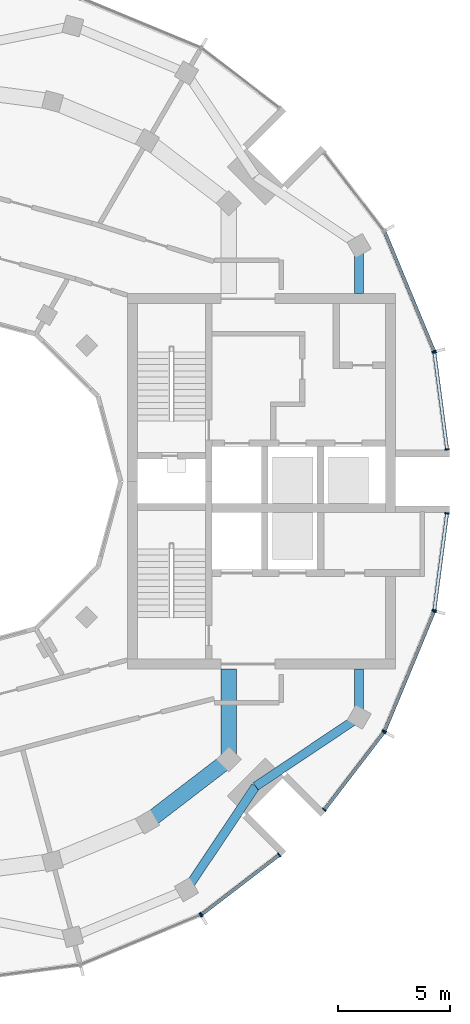
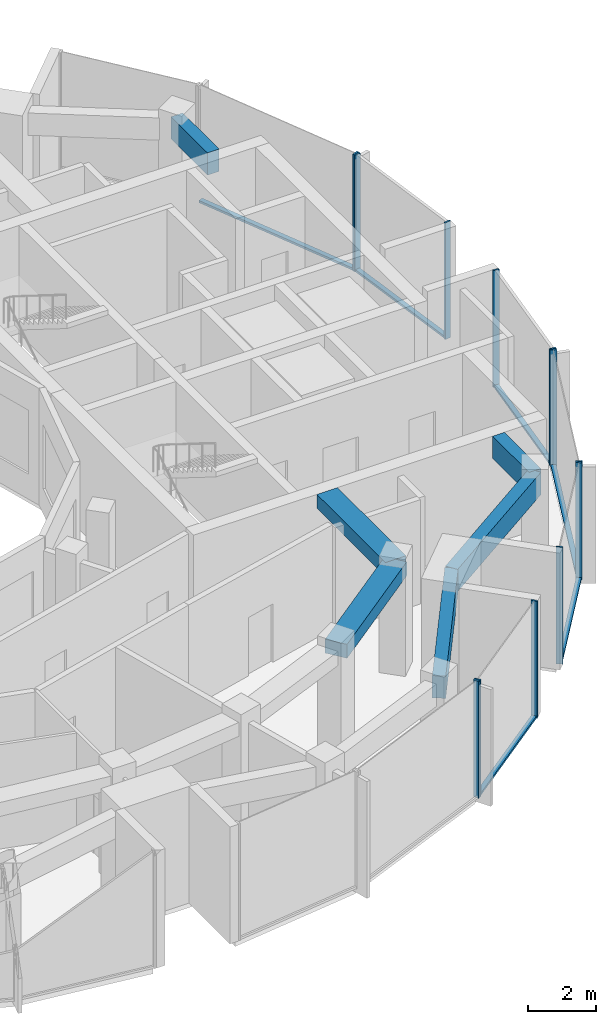
# One storey, part 4 of 13: 18 members, 6 beams, 7 elements without a shape of their own.
"""IFC4 building model written with IfcOpenShell, lengths in metres."""

from ifc_helpers import new_model, si_unit, direction, frame, origin, origin_2d, place, context, subcontext, project, spatial, rectangle, extrude, material, layer, layer_set, material_profile, profile_set, type_object, element, aggregate, save


model = new_model("IFC4")

# Units and contexts
model_context = context("Model", 3, precision=1e-05, world=origin(), true_north=direction((0.0, 1.0)))
body_context = subcontext(model_context, "Body", "Model", "MODEL_VIEW")
ifc_project = project(units=[si_unit("LENGTHUNIT", "METRE"), si_unit("AREAUNIT", "SQUARE_METRE"), si_unit("VOLUMEUNIT", "CUBIC_METRE"), si_unit("PLANEANGLEUNIT", "RADIAN"), si_unit("MASSUNIT", "GRAM", prefix="KILO")], contexts=[model_context])

# Site, building, storey
site_placement = place(None, origin())
site = spatial("IfcSite", under=ifc_project, at=site_placement, CompositionType="ELEMENT")
building_placement = place(site_placement, origin())
building = spatial("IfcBuilding", under=site, at=building_placement, Name="Torre Brocal", CompositionType="ELEMENT")
storey_placement = place(building_placement, frame((0.0, 0.0, 300.89990234375)))
storey = spatial("IfcBuildingStorey", under=building, at=storey_placement, Name="L69", CompositionType="ELEMENT", Elevation=300.89990234375)

# Curtain wall, member
ifc_material_1 = material(Name="Aluminium and glass", Category="aluminium")
ifc_layer_1 = layer(ifc_material_1, 0.199951171875)
ifc_layer_set_1 = layer_set([ifc_layer_1], Name="Aluminium and glass")
curtain_wall_type_1 = type_object("IfcCurtainWallType", Name="CW-1 CURTAIN WALL 4200 HIGH", PredefinedType="NOTDEFINED", material=ifc_layer_set_1)
curtain_wall_1_placement = place(storey_placement, origin())
curtain_wall_1 = element("IfcCurtainWall", 1, at=curtain_wall_1_placement, inside=storey, type_object=curtain_wall_type_1, Name="CW-1 RUN 2", PredefinedType="NOTDEFINED")
ifc_material_2 = material(Name="Aluminium, dark anodised", Category="aluminium")
ifc_material_profile_1 = material_profile(ifc_material_2, rectangle(XDim=0.199951171875, YDim=0.06005859375, at=origin_2d()), Name="CW-1 MULLION 60X200")
ifc_profile_set_1 = profile_set([ifc_material_profile_1], Name="Aluminium, dark anodised")
member_type_1 = type_object("IfcMemberType", Name="CW-1 MULLION 60X200", PredefinedType="MULLION", material=ifc_profile_set_1)
member_1_placement = place(storey_placement, frame((101.62451171875, 80.824951171875, 0.0), z_axis=(0.0, 0.0, 1.0), x_axis=(-0.923879532545, -0.382683432284, 0.0)))
member_1 = element("IfcMember", 2, at=member_1_placement, type_object=member_type_1, Name="CW1-5 mullion 1", PredefinedType="MULLION", context=body_context, shape_type="SweptSolid", body=[
    extrude(rectangle(XDim=0.199951171875, YDim=0.06005859375, at=origin_2d()), origin(), (0.0, 0.0, 1.0), 4.2001953125),
])

curtain_wall_2_placement = place(storey_placement, origin())
curtain_wall_2 = element("IfcCurtainWall", 3, at=curtain_wall_2_placement, inside=storey, type_object=curtain_wall_type_1, Name="CW-1 RUN 20", PredefinedType="NOTDEFINED")
member_2_placement = place(storey_placement, frame((91.171875, 55.59033203125, 0.0), z_axis=(0.0, 0.0, 1.0), x_axis=(-0.382683432284, 0.923879532545, 0.0)))
member_2 = element("IfcMember", 4, at=member_2_placement, type_object=member_type_1, Name="CW1-5 mullion 2", PredefinedType="MULLION", context=body_context, shape_type="SweptSolid", body=[
    extrude(rectangle(XDim=0.199951171875, YDim=0.06005859375, at=origin_2d()), origin(), (0.0, 0.0, 1.0), 4.2001953125),
])
aggregate(curtain_wall_2, [member_2])

# Curtain wall, members
curtain_wall_3_placement = place(storey_placement, origin())
curtain_wall_3 = element("IfcCurtainWall", 5, at=curtain_wall_3_placement, inside=storey, type_object=curtain_wall_type_1, Name="CW-1 RUN 21", PredefinedType="NOTDEFINED")
member_3_placement = place(storey_placement, frame((91.223388671875, 55.6201171875, 0.0), z_axis=(0.0, 0.0, 1.0), x_axis=(-0.608761429064, 0.793353340249, 0.0)))
member_3 = element("IfcMember", 6, at=member_3_placement, type_object=member_type_1, Name="CW1-5 mullion 1", PredefinedType="MULLION", context=body_context, shape_type="SweptSolid", body=[
    extrude(rectangle(XDim=0.199951171875, YDim=0.06005859375, at=origin_2d()), origin(), (0.0, 0.0, 1.0), 4.2001953125),
])
member_4_placement = place(storey_placement, frame((94.694580078125, 58.283447265625, 0.0), z_axis=(0.0, 0.0, 1.0), x_axis=(-0.608761429064, 0.793353340249, 0.0)))
member_4 = element("IfcMember", 7, at=member_4_placement, type_object=member_type_1, Name="CW1-5 mullion 2", PredefinedType="MULLION", context=body_context, shape_type="SweptSolid", body=[
    extrude(rectangle(XDim=0.199951171875, YDim=0.06005859375, at=origin_2d()), origin(), (0.0, 0.0, 1.0), 4.2001953125),
])

curtain_wall_4_placement = place(storey_placement, origin())
curtain_wall_4 = element("IfcCurtainWall", 8, at=curtain_wall_4_placement, inside=storey, type_object=curtain_wall_type_1, Name="CW-1 RUN 22", PredefinedType="NOTDEFINED")
member_5_placement = place(storey_placement, frame((96.716552734375, 60.305419921875, 0.0), z_axis=(0.0, 0.0, 1.0), x_axis=(-0.793353340249, 0.608761429064, 0.0)))
member_5 = element("IfcMember", 9, at=member_5_placement, type_object=member_type_1, Name="CW1-5 mullion 1", PredefinedType="MULLION", context=body_context, shape_type="SweptSolid", body=[
    extrude(rectangle(XDim=0.199951171875, YDim=0.06005859375, at=origin_2d()), origin(), (0.0, 0.0, 1.0), 4.2001953125),
])
member_6_placement = place(storey_placement, frame((99.3798828125, 63.776611328125, 0.0), z_axis=(0.0, 0.0, 1.0), x_axis=(-0.793353340249, 0.608761429064, 0.0)))
member_6 = element("IfcMember", 10, at=member_6_placement, type_object=member_type_1, Name="CW1-5 mullion 2", PredefinedType="MULLION", context=body_context, shape_type="SweptSolid", body=[
    extrude(rectangle(XDim=0.199951171875, YDim=0.06005859375, at=origin_2d()), origin(), (0.0, 0.0, 1.0), 4.2001953125),
])

curtain_wall_5_placement = place(storey_placement, origin())
curtain_wall_5 = element("IfcCurtainWall", 11, at=curtain_wall_5_placement, inside=storey, type_object=curtain_wall_type_1, Name="CW-1 RUN 23", PredefinedType="NOTDEFINED")
member_7_placement = place(storey_placement, frame((99.40966796875, 63.828125, 0.0), z_axis=(0.0, 0.0, 1.0), x_axis=(-0.923879532545, 0.382683432284, 0.0)))
member_7 = element("IfcMember", 12, at=member_7_placement, type_object=member_type_1, Name="CW1-5 mullion 1", PredefinedType="MULLION", context=body_context, shape_type="SweptSolid", body=[
    extrude(rectangle(XDim=0.199951171875, YDim=0.06005859375, at=origin_2d()), origin(), (0.0, 0.0, 1.0), 4.2001953125),
])
member_8_placement = place(storey_placement, frame((101.62451171875, 69.175048828125, 0.0), z_axis=(0.0, 0.0, 1.0), x_axis=(-0.923879532545, 0.382683432284, 0.0)))
member_8 = element("IfcMember", 13, at=member_8_placement, type_object=member_type_1, Name="CW1-5 mullion 2", PredefinedType="MULLION", context=body_context, shape_type="SweptSolid", body=[
    extrude(rectangle(XDim=0.199951171875, YDim=0.06005859375, at=origin_2d()), origin(), (0.0, 0.0, 1.0), 4.2001953125),
])

# Member
ifc_material_3 = material(Name="Aluminium, dark anodised", Category="aluminium")
ifc_material_profile_2 = material_profile(ifc_material_3, rectangle(XDim=0.159912109375, YDim=0.080078125, at=origin_2d()), Name="CW-1 TRANSOM 160X80")
ifc_profile_set_2 = profile_set([ifc_material_profile_2], Name="Aluminium, dark anodised")
member_type_2 = type_object("IfcMemberType", Name="CW-1 TRANSOM 160X80", PredefinedType="USERDEFINED", material=ifc_profile_set_2)
member_9_placement = place(storey_placement, frame((101.613037109375, 80.852783203125, 0.0400390625), z_axis=(-0.382710701355, 0.923868236854, 0.0), x_axis=(-0.923868236854, -0.382710701355, 0.0)))
member_9 = element("IfcMember", 14, at=member_9_placement, type_object=member_type_2, Name="CW1-5 transom 1.1", ObjectType="TRANSOM", PredefinedType="USERDEFINED", context=body_context, shape_type="SweptSolid", body=[
    extrude(rectangle(XDim=0.159912109375, YDim=0.080078125, at=origin_2d()), origin(), (0.0, 0.0, 1.0), 5.727294921875),
])

aggregate(curtain_wall_1, [member_1, member_9])

member_10_placement = place(storey_placement, frame((91.2470703125, 55.63818359375, 0.0400390625), z_axis=(0.793332201462, 0.608788976677, 0.0), x_axis=(-0.608788976677, 0.793332201462, 0.0)))
member_10 = element("IfcMember", 15, at=member_10_placement, type_object=member_type_2, Name="CW1-5 transom 1.1", ObjectType="TRANSOM", PredefinedType="USERDEFINED", context=body_context, shape_type="SweptSolid", body=[
    extrude(rectangle(XDim=0.159912109375, YDim=0.080078125, at=origin_2d()), origin(), (0.0, 0.0, 1.0), 4.3154296875),
])

aggregate(curtain_wall_3, [member_3, member_4, member_10])

member_11_placement = place(storey_placement, frame((96.734619140625, 60.329345703125, 0.0400390625), z_axis=(0.608788976677, 0.793332201462, 0.0), x_axis=(-0.793332201462, 0.608788976677, 0.0)))
member_11 = element("IfcMember", 16, at=member_11_placement, type_object=member_type_2, Name="CW1-5 transom 1.1", ObjectType="TRANSOM", PredefinedType="USERDEFINED", context=body_context, shape_type="SweptSolid", body=[
    extrude(rectangle(XDim=0.159912109375, YDim=0.080078125, at=origin_2d()), origin(), (0.0, 0.0, 1.0), 4.3154296875),
])

aggregate(curtain_wall_4, [member_5, member_6, member_11])

member_12_placement = place(storey_placement, frame((99.421142578125, 63.85595703125, 0.0400390625), z_axis=(0.382710701355, 0.923868236854, 0.0), x_axis=(-0.923868236854, 0.382710701355, 0.0)))
member_12 = element("IfcMember", 17, at=member_12_placement, type_object=member_type_2, Name="CW1-5 transom 1.1", ObjectType="TRANSOM", PredefinedType="USERDEFINED", context=body_context, shape_type="SweptSolid", body=[
    extrude(rectangle(XDim=0.159912109375, YDim=0.080078125, at=origin_2d()), origin(), (0.0, 0.0, 1.0), 5.727294921875),
])

aggregate(curtain_wall_5, [member_7, member_8, member_12])

# Curtain wall, members
ifc_material_4 = material(Name="Aluminium and glass", Category="aluminium")
ifc_layer_2 = layer(ifc_material_4, 0.199951171875)
ifc_layer_set_2 = layer_set([ifc_layer_2], Name="Aluminium and glass")
curtain_wall_type_2 = type_object("IfcCurtainWallType", Name="CW-1B CURTAIN WALL 4200 HIGH", PredefinedType="NOTDEFINED", material=ifc_layer_set_2)
curtain_wall_6_placement = place(storey_placement, origin())
curtain_wall_6 = element("IfcCurtainWall", 18, at=curtain_wall_6_placement, inside=storey, type_object=curtain_wall_type_2, Name="CW-1B RUN 1", PredefinedType="NOTDEFINED")
ifc_material_5 = material(Name="Aluminium, dark anodised", Category="aluminium")
ifc_material_profile_3 = material_profile(ifc_material_5, rectangle(XDim=0.199951171875, YDim=0.06005859375, at=origin_2d()), Name="CW-1B MULLION 60X200")
ifc_profile_set_3 = profile_set([ifc_material_profile_3], Name="Aluminium, dark anodised")
member_type_3 = type_object("IfcMemberType", Name="CW-1B MULLION 60X200", PredefinedType="MULLION", material=ifc_profile_set_3)
member_13_placement = place(storey_placement, frame((102.2109375, 76.4296875, 0.0), z_axis=(0.0, 0.0, 1.0), x_axis=(-0.991444861374, -0.13052619222, 0.0)))
member_13 = element("IfcMember", 19, at=member_13_placement, type_object=member_type_3, Name="CW1B-5 mullion 1", PredefinedType="MULLION", context=body_context, shape_type="SweptSolid", body=[
    extrude(rectangle(XDim=0.199951171875, YDim=0.06005859375, at=origin_2d()), origin(), (0.0, 0.0, 1.0), 4.2001953125),
])
member_14_placement = place(storey_placement, frame((101.639892578125, 80.767578125, 0.0), z_axis=(0.0, 0.0, 1.0), x_axis=(-0.991444861374, -0.13052619222, 0.0)))
member_14 = element("IfcMember", 20, at=member_14_placement, type_object=member_type_3, Name="CW1B-5 mullion 2", PredefinedType="MULLION", context=body_context, shape_type="SweptSolid", body=[
    extrude(rectangle(XDim=0.199951171875, YDim=0.06005859375, at=origin_2d()), origin(), (0.0, 0.0, 1.0), 4.2001953125),
])

curtain_wall_7_placement = place(storey_placement, origin())
curtain_wall_7 = element("IfcCurtainWall", 21, at=curtain_wall_7_placement, inside=storey, type_object=curtain_wall_type_2, Name="CW-1B RUN 24", PredefinedType="NOTDEFINED")
member_15_placement = place(storey_placement, frame((101.639892578125, 69.232421875, 0.0), z_axis=(0.0, 0.0, 1.0), x_axis=(-0.991444861374, 0.13052619222, 0.0)))
member_15 = element("IfcMember", 22, at=member_15_placement, type_object=member_type_3, Name="CW1B-5 mullion 1", PredefinedType="MULLION", context=body_context, shape_type="SweptSolid", body=[
    extrude(rectangle(XDim=0.199951171875, YDim=0.06005859375, at=origin_2d()), origin(), (0.0, 0.0, 1.0), 4.2001953125),
])
member_16_placement = place(storey_placement, frame((102.2109375, 73.5703125, 0.0), z_axis=(0.0, 0.0, 1.0), x_axis=(-0.991444861374, 0.13052619222, 0.0)))
member_16 = element("IfcMember", 23, at=member_16_placement, type_object=member_type_3, Name="CW1B-5 mullion 2", PredefinedType="MULLION", context=body_context, shape_type="SweptSolid", body=[
    extrude(rectangle(XDim=0.199951171875, YDim=0.06005859375, at=origin_2d()), origin(), (0.0, 0.0, 1.0), 4.2001953125),
])

# Member
ifc_material_6 = material(Name="Aluminium, dark anodised", Category="aluminium")
ifc_material_profile_4 = material_profile(ifc_material_6, rectangle(XDim=0.159912109375, YDim=0.080078125, at=origin_2d()), Name="CW-1B TRANSOM 160X80")
ifc_profile_set_4 = profile_set([ifc_material_profile_4], Name="Aluminium, dark anodised")
member_type_4 = type_object("IfcMemberType", Name="CW-1B TRANSOM 160X80", PredefinedType="USERDEFINED", material=ifc_profile_set_4)
member_17_placement = place(storey_placement, frame((102.20703125, 76.45947265625, 0.0400390625), z_axis=(-0.130521833991, 0.991445435136, 0.0), x_axis=(-0.991445435136, -0.130521833991, 0.0)))
member_17 = element("IfcMember", 24, at=member_17_placement, type_object=member_type_4, Name="CW1B-5 transom 1.1", ObjectType="TRANSOM", PredefinedType="USERDEFINED", context=body_context, shape_type="SweptSolid", body=[
    extrude(rectangle(XDim=0.159912109375, YDim=0.080078125, at=origin_2d()), origin(), (0.0, 0.0, 1.0), 4.315185546875),
])

aggregate(curtain_wall_6, [member_13, member_14, member_17])

member_18_placement = place(storey_placement, frame((101.643798828125, 69.26220703125, 0.0400390625), z_axis=(0.130521833991, 0.991445435136, 0.0), x_axis=(-0.991445435136, 0.130521833991, 0.0)))
member_18 = element("IfcMember", 25, at=member_18_placement, type_object=member_type_4, Name="CW1B-5 transom 1.1", ObjectType="TRANSOM", PredefinedType="USERDEFINED", context=body_context, shape_type="SweptSolid", body=[
    extrude(rectangle(XDim=0.159912109375, YDim=0.080078125, at=origin_2d()), origin(), (0.0, 0.0, 1.0), 4.315185546875),
])

aggregate(curtain_wall_7, [member_15, member_16, member_18])

# Beams
ifc_material_7 = material(Name="Concrete C50", Category="concrete")
ifc_material_profile_5 = material_profile(ifc_material_7, rectangle(XDim=0.699951171875, YDim=0.5, at=origin_2d()), Name="RC 700X500")
ifc_profile_set_5 = profile_set([ifc_material_profile_5], Name="Concrete C50")
beam_type_1 = type_object("IfcBeamType", Name="RC BEAM 700X500 C50 TOP 3880", PredefinedType="BEAM", material=ifc_profile_set_5)
beam_1_placement = place(storey_placement, frame((88.800048828125, 59.758056640625, 3.630126953125), z_axis=(0.793358265959, 0.6087550097, 0.0), x_axis=(-0.6087550097, 0.793358265959, 0.0)))
element("IfcBeam", 26, at=beam_1_placement, inside=storey, type_object=beam_type_1, Name="Beam BT-37", PredefinedType="BEAM", context=body_context, shape_type="SweptSolid", body=[
    extrude(rectangle(XDim=0.699951171875, YDim=0.5, at=origin_2d()), origin(), (0.0, 0.0, 1.0), 4.594482421875),
])
beam_2_placement = place(storey_placement, frame((92.445068359375, 62.554931640625, 3.630126953125), z_axis=(0.0, 1.0, 0.0), x_axis=(-1.0, 0.0, 0.0)))
element("IfcBeam", 27, at=beam_2_placement, inside=storey, type_object=beam_type_1, Name="Beam BT-37", PredefinedType="BEAM", context=body_context, shape_type="SweptSolid", body=[
    extrude(rectangle(XDim=0.699951171875, YDim=0.5, at=origin_2d()), origin(), (0.0, 0.0, 1.0), 4.045166015625),
])
ifc_material_8 = material(Name="Concrete C50", Category="concrete")
ifc_material_profile_6 = material_profile(ifc_material_8, rectangle(XDim=0.39990234375, YDim=0.800048828125, at=origin_2d()), Name="RC 400X800")
ifc_profile_set_6 = profile_set([ifc_material_profile_6], Name="Concrete C50")
beam_type_2 = type_object("IfcBeamType", Name="RC SPANDREL BEAM 400X800 C50 TOP 3880", PredefinedType="SPANDREL", material=ifc_profile_set_6)
for number, where, z_axis, x_axis, name in (
    (28, (90.550048828125, 56.726806640625, 3.47998046875), (0.556338604247, 0.830955689206, 0.0), (-0.830955689206, 0.556338604247, 0.0), "Beam BT-47"),
    (29, (93.647216796875, 61.352783203125, 3.47998046875), (0.830955689206, 0.556338604247, 0.0), (-0.556338604247, 0.830955689206, 0.0), "Beam BT-47"),
):
    element("IfcBeam", number, at=place(storey_placement, frame(where, z_axis=z_axis, x_axis=x_axis)), inside=storey, type_object=beam_type_2, Name=name, PredefinedType="SPANDREL", context=body_context, shape_type="SweptSolid", body=[
        extrude(rectangle(XDim=0.39990234375, YDim=0.800048828125, at=origin_2d()), origin(), (0.0, 0.0, 1.0), 5.567138671875),
    ])
for number, where, z_axis, x_axis, name in (
    (30, (98.273193359375, 64.449951171875, 3.47998046875), (0.0, 1.0, 0.0), (-1.0, 0.0, 0.0), "Beam BT-47"),
    (31, (98.273193359375, 85.550048828125, 3.47998046875), (0.0, -1.0, 0.0), (1.0, 0.0, 0.0), "Beam BT-47"),
):
    element("IfcBeam", number, at=place(storey_placement, frame(where, z_axis=z_axis, x_axis=x_axis)), inside=storey, type_object=beam_type_2, Name=name, PredefinedType="SPANDREL", context=body_context, shape_type="SweptSolid", body=[
        extrude(rectangle(XDim=0.39990234375, YDim=0.800048828125, at=origin_2d()), origin(), (0.0, 0.0, 1.0), 2.150146484375),
    ])

save(model, "model.ifc")
